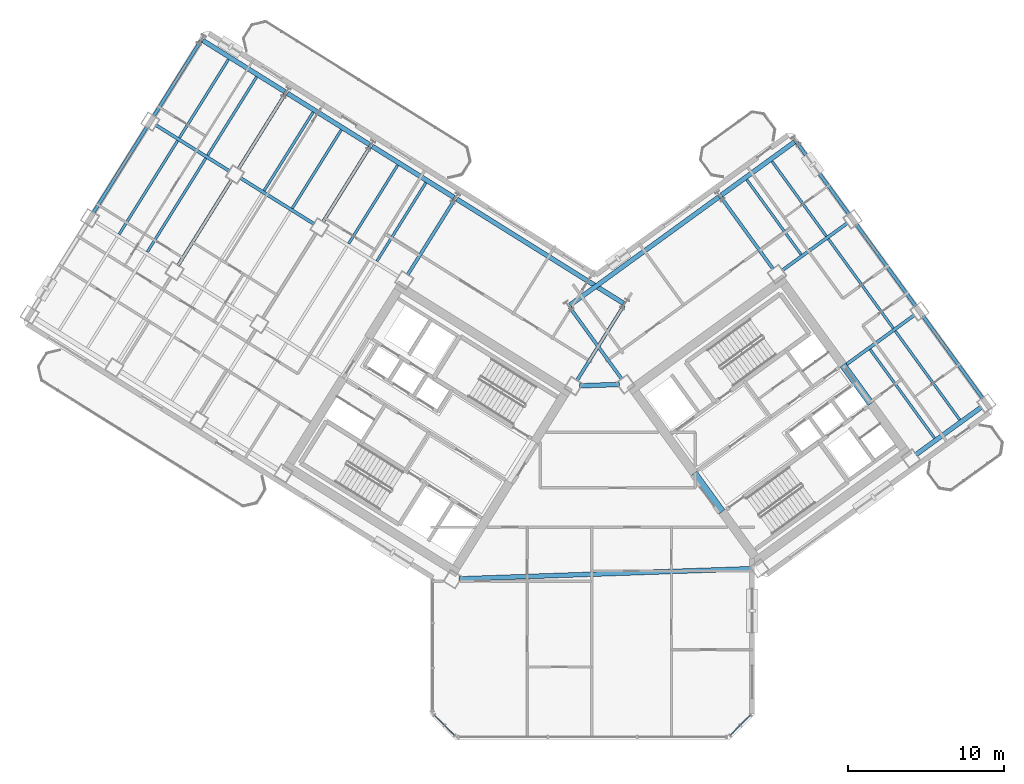
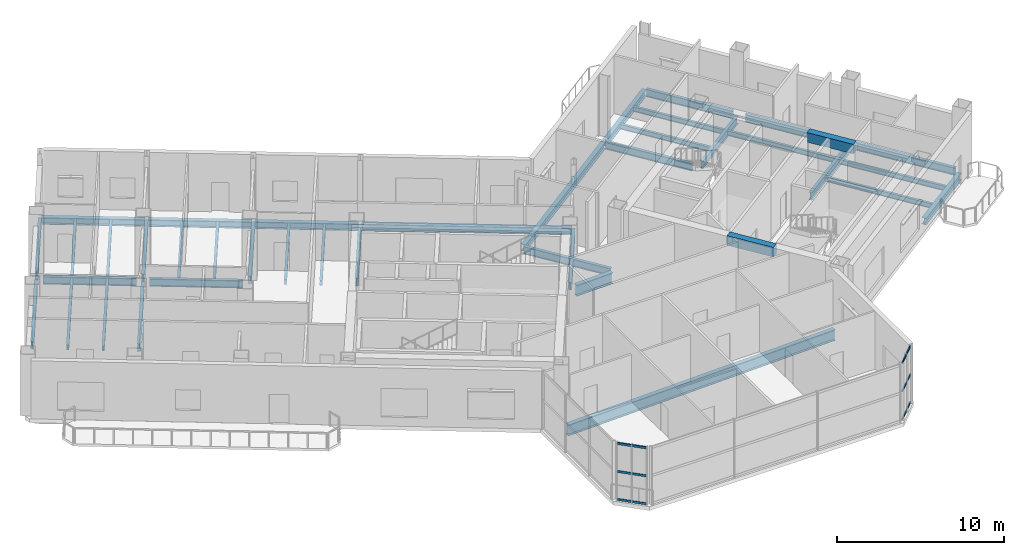
# One storey, part 7 of 21: 40 beams, 12 members, 2 elements without a shape of their own.
"""IFC4 building model written with IfcOpenShell, lengths in metres."""

from ifc_helpers import new_model, si_unit, direction, frame, origin, origin_2d, place, context, subcontext, project, spatial, rectangle, hollow_rectangle, i_section, extrude, source, transform, mapped, material, material_profile, profile_set, type_object, element, aggregate, save


model = new_model("IFC4")

# Units and contexts
model_context = context("Model", 3, precision=1e-05, world=origin(), true_north=direction((0.0, 1.0)))
body_context = subcontext(model_context, "Body", "Model", "MODEL_VIEW")
ifc_project = project(units=[si_unit("LENGTHUNIT", "METRE"), si_unit("AREAUNIT", "SQUARE_METRE"), si_unit("VOLUMEUNIT", "CUBIC_METRE"), si_unit("PLANEANGLEUNIT", "RADIAN"), si_unit("MASSUNIT", "GRAM", prefix="KILO")], contexts=[model_context])

# Site, building, storey
site_placement = place(None, origin())
site = spatial("IfcSite", under=ifc_project, at=site_placement, CompositionType="ELEMENT")
building_placement = place(site_placement, origin())
building = spatial("IfcBuilding", under=site, at=building_placement, Name="Tlacorven Tower", CompositionType="ELEMENT")
storey_placement = place(building_placement, frame((0.0, 0.0, 100.800048828125)))
storey = spatial("IfcBuildingStorey", under=building, at=storey_placement, Name="L25", CompositionType="ELEMENT", Elevation=100.800048828125)

# Beams
ifc_material_1 = material(Name="Concrete C60/75", Category="concrete")
ifc_material_profile_1 = material_profile(ifc_material_1, rectangle(XDim=0.449951171875, YDim=0.699951171875, at=origin_2d()), Name="RC 450X700")
ifc_profile_set_1 = profile_set([ifc_material_profile_1], Name="Concrete C60/75")
beam_type_1 = type_object("IfcBeamType", Name="BM-LNT-700", PredefinedType="LINTEL", material=ifc_profile_set_1)
shared_shape_1 = source(origin(), body_context, "Body", "SweptSolid", [
    extrude(rectangle(XDim=0.449951171875, YDim=0.699951171875, at=origin_2d()), origin(), (0.0, 0.0, 1.0), 3.050048828125),
])
for number, where, z_axis, x_axis, name in (
    (1, (50.318359375, 16.416015625, 3.89990234375), (-0.587776590479, 0.80902328748, 0.0), (-0.80902328748, -0.587776590479, 0.0), "L25 E core coupling lintel beam E1"),
    (2, (59.856689453125, 23.345947265625, 3.89990234375), (-0.587776590479, 0.80902328748, 0.0), (-0.80902328748, -0.587776590479, 0.0), "L25 E core coupling lintel beam E2"),
):
    element("IfcBeam", number, at=place(storey_placement, frame(where, z_axis=z_axis, x_axis=x_axis)), inside=storey, type_object=beam_type_1, Name=name, PredefinedType="LINTEL", context=body_context, shape_type="MappedRepresentation", body=[
        mapped(shared_shape_1, transform((0.0, 0.0, 0.0), scale=1.0)),
    ])
ifc_material_2 = material(Name="Steel S355J2", Category="steel")
ifc_material_profile_2 = material_profile(ifc_material_2, i_section(OverallWidth=0.300048828125, OverallDepth=0.489990234375, WebThickness=0.011962890625, FlangeThickness=0.02294921875, at=origin_2d()), Name="HEA 500")
ifc_profile_set_2 = profile_set([ifc_material_profile_2], Name="Steel S355J2")
beam_type_2 = type_object("IfcBeamType", Name="BM-SPN-500", PredefinedType="SPANDREL", material=ifc_profile_set_2)
shared_shape_2 = source(origin(), body_context, "Body", "SweptSolid", [
    extrude(i_section(OverallWidth=0.300048828125, OverallDepth=0.489990234375, WebThickness=0.011962890625, FlangeThickness=0.02294921875, at=origin_2d()), origin(), (0.0, 0.0, 1.0), 12.599853515625),
])
beam_1_placement = place(storey_placement, frame((43.983642578125, 29.779296875, -0.525146484375), z_axis=(-0.848045108756, 0.529924045043, 0.0), x_axis=(-0.529924045043, -0.848045108756, 0.0)))
element("IfcBeam", 3, at=beam_1_placement, inside=storey, type_object=beam_type_2, Name="L25 beam BM-L25-WL1-1", PredefinedType="SPANDREL", context=body_context, shape_type="MappedRepresentation", body=[
    mapped(shared_shape_2, transform((0.0, 0.0, 0.0), scale=1.0)),
])
shared_shape_3 = source(origin(), body_context, "Body", "SweptSolid", [
    extrude(i_section(OverallWidth=0.300048828125, OverallDepth=0.489990234375, WebThickness=0.011962890625, FlangeThickness=0.02294921875, at=origin_2d()), origin(), (0.0, 0.0, 1.0), 6.199951171875),
])
beam_2_placement = place(storey_placement, frame((33.128662109375, 36.562255859375, -0.525146484375), z_axis=(-0.848051394107, 0.529913986372, 0.0), x_axis=(-0.529913986372, -0.848051394107, 0.0)))
element("IfcBeam", 4, at=beam_2_placement, inside=storey, type_object=beam_type_2, Name="L25 beam BM-L25-WL1-3", PredefinedType="SPANDREL", context=body_context, shape_type="MappedRepresentation", body=[
    mapped(shared_shape_3, transform((0.0, 0.0, 0.0), scale=1.0)),
])
shared_shape_4 = source(origin(), body_context, "Body", "SweptSolid", [
    extrude(i_section(OverallWidth=0.300048828125, OverallDepth=0.489990234375, WebThickness=0.011962890625, FlangeThickness=0.02294921875, at=origin_2d()), origin(), (0.0, 0.0, 1.0), 11.800048828125),
])
beam_3_placement = place(storey_placement, frame((40.560302734375, 29.65966796875, -0.525146484375), z_axis=(0.80900977213, 0.587795192732, 0.0), x_axis=(-0.587795192732, 0.80900977213, 0.0)))
element("IfcBeam", 5, at=beam_3_placement, inside=storey, type_object=beam_type_2, Name="L25 beam BM-L25-EL4-1", PredefinedType="SPANDREL", context=body_context, shape_type="MappedRepresentation", body=[
    mapped(shared_shape_4, transform((0.0, 0.0, 0.0), scale=1.0)),
])
shared_shape_5 = source(origin(), body_context, "Body", "SweptSolid", [
    extrude(i_section(OverallWidth=0.300048828125, OverallDepth=0.489990234375, WebThickness=0.011962890625, FlangeThickness=0.02294921875, at=origin_2d()), origin(), (0.0, 0.0, 1.0), 5.800048828125),
])
beam_4_placement = place(storey_placement, frame((50.2685546875, 36.713134765625, -0.525146484375), z_axis=(0.809019944521, 0.587781191743, 0.0), x_axis=(-0.587781191743, 0.809019944521, 0.0)))
element("IfcBeam", 6, at=beam_4_placement, inside=storey, type_object=beam_type_2, Name="L25 beam BM-L25-EL4-3", PredefinedType="SPANDREL", context=body_context, shape_type="MappedRepresentation", body=[
    mapped(shared_shape_5, transform((0.0, 0.0, 0.0), scale=1.0)),
])
shared_shape_6 = source(origin(), body_context, "Body", "SweptSolid", [
    extrude(i_section(OverallWidth=0.300048828125, OverallDepth=0.489990234375, WebThickness=0.011962890625, FlangeThickness=0.02294921875, at=origin_2d()), origin(), (0.0, 0.0, 1.0), 6.2001953125),
])
for number, where, z_axis, x_axis, name in (
    (7, (27.701171875, 39.95361328125, -0.525146484375), (-0.84804475579, 0.5299246099, 0.0), (-0.5299246099, -0.84804475579, 0.0), "L25 beam BM-L25-WL1-4"),
    (8, (22.273681640625, 43.34521484375, -0.525146484375), (-0.848062451332, 0.529896290457, 0.0), (-0.529896290457, -0.848062451332, 0.0), "L25 beam BM-L25-WL1-5"),
):
    element("IfcBeam", number, at=place(storey_placement, frame(where, z_axis=z_axis, x_axis=x_axis)), inside=storey, type_object=beam_type_2, Name=name, PredefinedType="SPANDREL", context=body_context, shape_type="MappedRepresentation", body=[
        mapped(shared_shape_6, transform((0.0, 0.0, 0.0), scale=1.0)),
    ])
ifc_material_profile_3 = material_profile(ifc_material_2, i_section(OverallWidth=0.2099609375, OverallDepth=0.550048828125, WebThickness=0.010986328125, FlangeThickness=0.01708984375, at=origin_2d()), Name="IPE 550")
ifc_profile_set_3 = profile_set([ifc_material_profile_3], Name="Steel S355J2")
beam_type_3 = type_object("IfcBeamType", Name="BM-TWR-550", PredefinedType="BEAM", material=ifc_profile_set_3)
shared_shape_7 = source(origin(), body_context, "Body", "SweptSolid", [
    extrude(i_section(OverallWidth=0.2099609375, OverallDepth=0.550048828125, WebThickness=0.010986328125, FlangeThickness=0.01708984375, at=origin_2d()), origin(), (0.0, 0.0, 1.0), 5.599853515625),
])
for number, where, z_axis, x_axis, name in (
    (9, (24.1611328125, 34.854736328125, -0.554931640625), (-0.848047285686, 0.529920561254, 0.0), (-0.529920561254, -0.848047285686, 0.0), "L25 beam BM-L25-WL2-4"),
    (10, (18.733642578125, 38.246337890625, -0.554931640625), (-0.848047285686, 0.529920561254, 0.0), (-0.529920561254, -0.848047285686, 0.0), "L25 beam BM-L25-WL2-5"),
):
    element("IfcBeam", number, at=place(storey_placement, frame(where, z_axis=z_axis, x_axis=x_axis)), inside=storey, type_object=beam_type_3, Name=name, PredefinedType="BEAM", context=body_context, shape_type="MappedRepresentation", body=[
        mapped(shared_shape_7, transform((0.0, 0.0, 0.0), scale=1.0)),
    ])
shared_shape_8 = source(origin(), body_context, "Body", "SweptSolid", [
    extrude(i_section(OverallWidth=0.2099609375, OverallDepth=0.550048828125, WebThickness=0.010986328125, FlangeThickness=0.01708984375, at=origin_2d()), origin(), (0.0, 0.0, 1.0), 5.7001953125),
])
for number, where, z_axis, x_axis, name in (
    (11, (44.015380859375, 29.6416015625, -0.554931640625), (-0.529906537151, -0.848056048787, 0.0), (0.848056048787, -0.529906537151, 0.0), "L25 beam BM-L25-WT1-1"),
    (12, (33.160400390625, 36.424560546875, -0.554931640625), (-0.529906537151, -0.848056048787, 0.0), (0.848056048787, -0.529906537151, 0.0), "L25 beam BM-L25-WT3-1"),
    (13, (22.305419921875, 43.20751953125, -0.554931640625), (-0.529906537151, -0.848056048787, 0.0), (0.848056048787, -0.529906537151, 0.0), "L25 beam BM-L25-WT5-1"),
):
    element("IfcBeam", number, at=place(storey_placement, frame(where, z_axis=z_axis, x_axis=x_axis)), inside=storey, type_object=beam_type_3, Name=name, PredefinedType="BEAM", context=body_context, shape_type="MappedRepresentation", body=[
        mapped(shared_shape_8, transform((0.0, 0.0, 0.0), scale=1.0)),
    ])
shared_shape_9 = source(origin(), body_context, "Body", "SweptSolid", [
    extrude(i_section(OverallWidth=0.2099609375, OverallDepth=0.550048828125, WebThickness=0.010986328125, FlangeThickness=0.01708984375, at=origin_2d()), origin(), (0.0, 0.0, 1.0), 5.699951171875),
])
for number, where, z_axis, x_axis, name in (
    (14, (27.73291015625, 39.81591796875, -0.554931640625), (-0.529925785607, -0.848044021115, 0.0), (0.848044021115, -0.529925785607, 0.0), "L25 beam BM-L25-WT4-1"),
    (15, (16.8779296875, 46.598876953125, -0.554931640625), (-0.529925785607, -0.848044021115, 0.0), (0.848044021115, -0.529925785607, 0.0), "L25 beam BM-L25-WT6-1"),
    (16, (43.888671875, 24.90869140625, -0.554931640625), (-0.587787066966, 0.809015675935, 0.0), (-0.809015675935, -0.587787066966, 0.0), "L25 beam BM-L25-ET1-2"),
    (17, (53.596923828125, 31.962158203125, -0.554931640625), (-0.587787066966, 0.809015675935, 0.0), (-0.809015675935, -0.587787066966, 0.0), "L25 beam BM-L25-ET3-2"),
    (18, (58.450927734375, 35.48876953125, -0.554931640625), (-0.587787066966, 0.809015675935, 0.0), (-0.809015675935, -0.587787066966, 0.0), "L25 beam BM-L25-ET4-3"),
):
    element("IfcBeam", number, at=place(storey_placement, frame(where, z_axis=z_axis, x_axis=x_axis)), inside=storey, type_object=beam_type_3, Name=name, PredefinedType="BEAM", context=body_context, shape_type="MappedRepresentation", body=[
        mapped(shared_shape_9, transform((0.0, 0.0, 0.0), scale=1.0)),
    ])
shared_shape_10 = source(origin(), body_context, "Body", "SweptSolid", [
    extrude(i_section(OverallWidth=0.2099609375, OverallDepth=0.550048828125, WebThickness=0.010986328125, FlangeThickness=0.01708984375, at=origin_2d()), origin(), (0.0, 0.0, 1.0), 6.5),
])
for number, where, z_axis, x_axis, name in (
    (19, (13.433349609375, 41.086669921875, -0.554931640625), (-0.529894274829, -0.848063710757, 0.0), (0.848063710757, -0.529894274829, 0.0), "L25 beam BM-L25-WT6-2"),
    (20, (67.03271484375, 23.67724609375, -0.554931640625), (-0.587809847215, 0.808999124547, 0.0), (-0.808999124547, -0.587809847215, 0.0), "L25 beam BM-L25-ET4-1"),
    (21, (62.74169921875, 29.5830078125, -0.554931640625), (-0.587785264321, 0.809016985636, 0.0), (-0.809016985636, -0.587785264321, 0.0), "L25 beam BM-L25-ET4-2"),
):
    element("IfcBeam", number, at=place(storey_placement, frame(where, z_axis=z_axis, x_axis=x_axis)), inside=storey, type_object=beam_type_3, Name=name, PredefinedType="BEAM", context=body_context, shape_type="MappedRepresentation", body=[
        mapped(shared_shape_10, transform((0.0, 0.0, 0.0), scale=1.0)),
    ])
shared_shape_11 = source(origin(), body_context, "Body", "SweptSolid", [
    extrude(i_section(OverallWidth=0.2099609375, OverallDepth=0.550048828125, WebThickness=0.010986328125, FlangeThickness=0.01708984375, at=origin_2d()), origin(), (0.0, 0.0, 1.0), 6.499755859375),
])
beam_5_placement = place(storey_placement, frame((18.86083984375, 37.695068359375, -0.554931640625), z_axis=(-0.529911154058, -0.848053163902, 0.0), x_axis=(0.848053163902, -0.529911154058, 0.0)))
element("IfcBeam", 22, at=beam_5_placement, inside=storey, type_object=beam_type_3, Name="L25 beam BM-L25-WT5-2", PredefinedType="BEAM", context=body_context, shape_type="MappedRepresentation", body=[
    mapped(shared_shape_11, transform((0.0, 0.0, 0.0), scale=1.0)),
])
ifc_material_profile_4 = material_profile(ifc_material_2, i_section(OverallWidth=0.169921875, OverallDepth=0.360107421875, WebThickness=0.008056640625, FlangeThickness=0.0126953125, at=origin_2d()), Name="IPE 360")
ifc_profile_set_4 = profile_set([ifc_material_profile_4], Name="Steel S355J2")
beam_type_4 = type_object("IfcBeamType", Name="BM-JST-360", PredefinedType="JOIST", material=ifc_profile_set_4)
shared_shape_12 = source(origin(), body_context, "Body", "SweptSolid", [
    extrude(i_section(OverallWidth=0.169921875, OverallDepth=0.360107421875, WebThickness=0.008056640625, FlangeThickness=0.0126953125, at=origin_2d()), origin(), (0.0, 0.0, 1.0), 5.93505859375),
])
for number, where, z_axis, x_axis, name in (
    (23, (31.322265625, 37.50830078125, -0.4599609375), (-0.529939778535, -0.848035277053, 0.0), (0.848035277053, -0.529939778535, 0.0), "L25 beam BM-L25-WJ3-1-1"),
    (24, (29.512939453125, 38.638916015625, -0.4599609375), (-0.529910194899, -0.848053763238, 0.0), (0.848053763238, -0.529910194899, 0.0), "L25 beam BM-L25-WJ3-1-2"),
    (25, (24.08544921875, 42.0302734375, -0.4599609375), (-0.529910194899, -0.848053763238, 0.0), (0.848053763238, -0.529910194899, 0.0), "L25 beam BM-L25-WJ4-1-2"),
    (26, (20.467041015625, 44.291259765625, -0.4599609375), (-0.529910194899, -0.848053763238, 0.0), (0.848053763238, -0.529910194899, 0.0), "L25 beam BM-L25-WJ5-1-1"),
    (27, (18.657958984375, 45.421875, -0.4599609375), (-0.529910194899, -0.848053763238, 0.0), (0.848053763238, -0.529910194899, 0.0), "L25 beam BM-L25-WJ5-1-2"),
    (28, (55.38525390625, 32.903076171875, -0.4599609375), (-0.58778762431, 0.809015270998, 0.0), (-0.809015270998, -0.58778762431, 0.0), "L25 beam BM-L25-EJ3-3-1"),
    (29, (57.00341796875, 34.07861328125, -0.4599609375), (-0.58778762431, 0.809015270998, 0.0), (-0.809015270998, -0.58778762431, 0.0), "L25 beam BM-L25-EJ3-3-2"),
):
    element("IfcBeam", number, at=place(storey_placement, frame(where, z_axis=z_axis, x_axis=x_axis)), inside=storey, type_object=beam_type_4, Name=name, PredefinedType="JOIST", context=body_context, shape_type="MappedRepresentation", body=[
        mapped(shared_shape_12, transform((0.0, 0.0, 0.0), scale=1.0)),
    ])
shared_shape_13 = source(origin(), body_context, "Body", "SweptSolid", [
    extrude(i_section(OverallWidth=0.169921875, OverallDepth=0.360107421875, WebThickness=0.008056640625, FlangeThickness=0.0126953125, at=origin_2d()), origin(), (0.0, 0.0, 1.0), 7.080078125),
])
for number, where, z_axis, x_axis, name in (
    (30, (17.20556640625, 39.071533203125, -0.4599609375), (-0.529933847046, -0.848038983629, 0.0), (0.848038983629, -0.529933847046, 0.0), "L25 beam BM-L25-WJ5-2-1"),
    (31, (15.396240234375, 40.2021484375, -0.4599609375), (-0.529893550998, -0.848064163027, 0.0), (0.848064163027, -0.529893550998, 0.0), "L25 beam BM-L25-WJ5-2-2"),
    (32, (61.294189453125, 28.1728515625, -0.4599609375), (-0.587798472288, 0.809007389321, 0.0), (-0.809007389321, -0.587798472288, 0.0), "L25 beam BM-L25-EJ3-2-2"),
):
    element("IfcBeam", number, at=place(storey_placement, frame(where, z_axis=z_axis, x_axis=x_axis)), inside=storey, type_object=beam_type_4, Name=name, PredefinedType="JOIST", context=body_context, shape_type="MappedRepresentation", body=[
        mapped(shared_shape_13, transform((0.0, 0.0, 0.0), scale=1.0)),
    ])
shared_shape_14 = source(origin(), body_context, "Body", "SweptSolid", [
    extrude(i_section(OverallWidth=0.169921875, OverallDepth=0.360107421875, WebThickness=0.008056640625, FlangeThickness=0.0126953125, at=origin_2d()), origin(), (0.0, 0.0, 1.0), 7.03515625),
])
beam_6_placement = place(storey_placement, frame((63.9404296875, 21.127685546875, -0.4599609375), z_axis=(-0.58776512903, 0.809031614399, 0.0), x_axis=(-0.809031614399, -0.58776512903, 0.0)))
element("IfcBeam", 33, at=beam_6_placement, inside=storey, type_object=beam_type_4, Name="L25 beam BM-L25-EJ3-1-1", PredefinedType="JOIST", context=body_context, shape_type="MappedRepresentation", body=[
    mapped(shared_shape_14, transform((0.0, 0.0, 0.0), scale=1.0)),
])
shared_shape_15 = source(origin(), body_context, "Body", "SweptSolid", [
    extrude(i_section(OverallWidth=0.169921875, OverallDepth=0.360107421875, WebThickness=0.008056640625, FlangeThickness=0.0126953125, at=origin_2d()), origin(), (0.0, 0.0, 1.0), 5.934814453125),
])
beam_7_placement = place(storey_placement, frame((25.894775390625, 40.899658203125, -0.4599609375), z_axis=(-0.529958265352, -0.848023724306, 0.0), x_axis=(0.848023724306, -0.529958265352, 0.0)))
element("IfcBeam", 34, at=beam_7_placement, inside=storey, type_object=beam_type_4, Name="L25 beam BM-L25-WJ4-1-1", PredefinedType="JOIST", context=body_context, shape_type="MappedRepresentation", body=[
    mapped(shared_shape_15, transform((0.0, 0.0, 0.0), scale=1.0)),
])
shared_shape_16 = source(origin(), body_context, "Body", "SweptSolid", [
    extrude(i_section(OverallWidth=0.300048828125, OverallDepth=0.489990234375, WebThickness=0.011962890625, FlangeThickness=0.02294921875, at=origin_2d()), origin(), (0.0, 0.0, 1.0), 5.199951171875),
])
beam_8_placement = place(storey_placement, frame((62.7373046875, 20.06201171875, -0.525146484375), z_axis=(0.809018206713, 0.587783583648, 0.0), x_axis=(-0.587783583648, 0.809018206713, 0.0)))
element("IfcBeam", 35, at=beam_8_placement, inside=storey, type_object=beam_type_2, Name="L25 beam BM-L25-EL1-3", PredefinedType="SPANDREL", context=body_context, shape_type="MappedRepresentation", body=[
    mapped(shared_shape_16, transform((0.0, 0.0, 0.0), scale=1.0)),
])
shared_shape_17 = source(origin(), body_context, "Body", "SweptSolid", [
    extrude(i_section(OverallWidth=0.2099609375, OverallDepth=0.550048828125, WebThickness=0.010986328125, FlangeThickness=0.01708984375, at=origin_2d()), origin(), (0.0, 0.0, 1.0), 5.56005859375),
])
beam_9_placement = place(storey_placement, frame((58.155029296875, 25.756103515625, -0.554931640625), z_axis=(0.809028396397, 0.587769558435, 0.0), x_axis=(-0.587769558435, 0.809028396397, 0.0)))
element("IfcBeam", 36, at=beam_9_placement, inside=storey, type_object=beam_type_3, Name="L25 beam BM-L25-EL2-3", PredefinedType="BEAM", context=body_context, shape_type="MappedRepresentation", body=[
    mapped(shared_shape_17, transform((0.0, 0.0, 0.0), scale=1.0)),
])
shared_shape_18 = source(origin(), body_context, "Body", "SweptSolid", [
    extrude(i_section(OverallWidth=0.2099609375, OverallDepth=0.550048828125, WebThickness=0.010986328125, FlangeThickness=0.01708984375, at=origin_2d()), origin(), (0.0, 0.0, 1.0), 5.2001953125),
])
beam_10_placement = place(storey_placement, frame((54.155517578125, 31.87353515625, -0.554931640625), z_axis=(0.80901210161, 0.587791986546, 0.0), x_axis=(-0.587791986546, 0.80901210161, 0.0)))
element("IfcBeam", 37, at=beam_10_placement, inside=storey, type_object=beam_type_3, Name="L25 beam BM-L25-EL3-3", PredefinedType="BEAM", context=body_context, shape_type="MappedRepresentation", body=[
    mapped(shared_shape_18, transform((0.0, 0.0, 0.0), scale=1.0)),
])
shared_shape_19 = source(origin(), body_context, "Body", "SweptSolid", [
    extrude(i_section(OverallWidth=0.169921875, OverallDepth=0.360107421875, WebThickness=0.008056640625, FlangeThickness=0.0126953125, at=origin_2d()), origin(), (0.0, 0.0, 1.0), 7.034912109375),
])
beam_11_placement = place(storey_placement, frame((65.55859375, 22.303466796875, -0.4599609375), z_axis=(-0.587781631373, 0.809019625115, 0.0), x_axis=(-0.809019625115, -0.587781631373, 0.0)))
element("IfcBeam", 38, at=beam_11_placement, inside=storey, type_object=beam_type_4, Name="L25 beam BM-L25-EJ3-1-2", PredefinedType="JOIST", context=body_context, shape_type="MappedRepresentation", body=[
    mapped(shared_shape_19, transform((0.0, 0.0, 0.0), scale=1.0)),
])
ifc_material_profile_5 = material_profile(ifc_material_2, i_section(OverallWidth=0.300048828125, OverallDepth=0.800048828125, WebThickness=0.017578125, FlangeThickness=0.032958984375, at=origin_2d()), Name="HEB 800")
ifc_profile_set_5 = profile_set([ifc_material_profile_5], Name="Steel S355J2")
beam_type_5 = type_object("IfcBeamType", Name="BM-POD-800", PredefinedType="BEAM", material=ifc_profile_set_5)
shared_shape_20 = source(origin(), body_context, "Body", "SweptSolid", [
    extrude(i_section(OverallWidth=0.300048828125, OverallDepth=0.800048828125, WebThickness=0.017578125, FlangeThickness=0.032958984375, at=origin_2d()), origin(), (0.0, 0.0, 1.0), 2.542724609375),
])
beam_12_placement = place(storey_placement, frame((41.1826171875, 24.482421875, -0.679931640625), z_axis=(0.999392467766, 0.034852480142, 0.0), x_axis=(-0.034852480142, 0.999392467766, 0.0)))
element("IfcBeam", 39, at=beam_12_placement, inside=storey, type_object=beam_type_5, Name="L25 Knuckle Link Girder 1", PredefinedType="BEAM", context=body_context, shape_type="MappedRepresentation", body=[
    mapped(shared_shape_20, transform((0.0, 0.0, 0.0), scale=1.0)),
])
shared_shape_21 = source(origin(), body_context, "Body", "SweptSolid", [
    extrude(i_section(OverallWidth=0.300048828125, OverallDepth=0.800048828125, WebThickness=0.017578125, FlangeThickness=0.032958984375, at=origin_2d()), origin(), (0.0, 0.0, 1.0), 18.871337890625),
])
beam_13_placement = place(storey_placement, frame((33.44580078125, 12.100830078125, -0.679931640625), z_axis=(0.999390659804, 0.034904284792, 0.0), x_axis=(-0.034904284792, 0.999390659804, 0.0)))
element("IfcBeam", 40, at=beam_13_placement, inside=storey, type_object=beam_type_5, Name="L25 Knuckle Link Girder 2", PredefinedType="BEAM", context=body_context, shape_type="MappedRepresentation", body=[
    mapped(shared_shape_21, transform((0.0, 0.0, 0.0), scale=1.0)),
])

# Curtain wall, members
ifc_material_3 = material(Name="Dark solar low-E double glazing in aluminium frame", Category="aluminium")
curtain_wall_type = type_object("IfcCurtainWallType", Name="CW-COM-AMENITY", PredefinedType="USERDEFINED", material=ifc_material_3)
curtain_wall_1_placement = place(storey_placement, origin())
curtain_wall_1 = element("IfcCurtainWall", 41, at=curtain_wall_1_placement, inside=storey, type_object=curtain_wall_type, Name="L25 CW-COM-AMENITY Curtain Wall 127", ObjectType="UNITISED CURTAIN WALL", PredefinedType="USERDEFINED")
ifc_material_4 = material(Name="Aluminium 6063-T6 anodised", Category="aluminium")
ifc_material_profile_6 = material_profile(ifc_material_4, hollow_rectangle(XDim=0.06494140625, YDim=0.159912109375, WallThickness=0.00390625, at=origin_2d()), Name="ALU TRANSOM 65X160")
ifc_profile_set_6 = profile_set([ifc_material_profile_6], Name="Aluminium 6063-T6 anodised")
member_type = type_object("IfcMemberType", Name="CWT-01", PredefinedType="USERDEFINED", material=ifc_profile_set_6)
shared_shape_22 = source(origin(), body_context, "Body", "SweptSolid", [
    extrude(hollow_rectangle(XDim=0.06494140625, YDim=0.159912109375, WallThickness=0.00390625, at=origin_2d()), origin(), (0.0, 0.0, 1.0), 0.8837890625),
])
member_1_placement = place(storey_placement, frame((52.128173828125, 3.3544921875, 0.079833984375), z_axis=(-0.707106781187, -0.707106781187, 0.0), x_axis=(0.707106781187, -0.707106781187, 0.0)))
member_1 = element("IfcMember", 42, at=member_1_placement, type_object=member_type, Name="CW-L25-127 Transom 1", ObjectType="TRANSOM", PredefinedType="USERDEFINED", context=body_context, shape_type="MappedRepresentation", body=[
    mapped(shared_shape_22, transform((0.0, 0.0, 0.0), scale=1.0)),
])
member_2_placement = place(storey_placement, frame((52.128173828125, 3.3544921875, 2.125), z_axis=(-0.707106781187, -0.707106781187, 0.0), x_axis=(0.707106781187, -0.707106781187, 0.0)))
member_2 = element("IfcMember", 43, at=member_2_placement, type_object=member_type, Name="CW-L25-127 Transom 2", ObjectType="TRANSOM", PredefinedType="USERDEFINED", context=body_context, shape_type="MappedRepresentation", body=[
    mapped(shared_shape_22, transform((0.0, 0.0, 0.0), scale=1.0)),
])
member_3_placement = place(storey_placement, frame((52.128173828125, 3.3544921875, 4.169921875), z_axis=(-0.707106781187, -0.707106781187, 0.0), x_axis=(0.707106781187, -0.707106781187, 0.0)))
member_3 = element("IfcMember", 44, at=member_3_placement, type_object=member_type, Name="CW-L25-127 Transom 3", ObjectType="TRANSOM", PredefinedType="USERDEFINED", context=body_context, shape_type="MappedRepresentation", body=[
    mapped(shared_shape_22, transform((0.0, 0.0, 0.0), scale=1.0)),
])

curtain_wall_2_placement = place(storey_placement, origin())
curtain_wall_2 = element("IfcCurtainWall", 45, at=curtain_wall_2_placement, inside=storey, type_object=curtain_wall_type, Name="L25 CW-COM-AMENITY Curtain Wall 129", ObjectType="UNITISED CURTAIN WALL", PredefinedType="USERDEFINED")
member_4_placement = place(storey_placement, frame((32.496826171875, 2.7294921875, 0.079833984375), z_axis=(-0.707106781187, 0.707106781187, 0.0), x_axis=(-0.707106781187, -0.707106781187, 0.0)))
member_4 = element("IfcMember", 46, at=member_4_placement, type_object=member_type, Name="CW-L25-129 Transom 4", ObjectType="TRANSOM", PredefinedType="USERDEFINED", context=body_context, shape_type="MappedRepresentation", body=[
    mapped(shared_shape_22, transform((0.0, 0.0, 0.0), scale=1.0)),
])
member_5_placement = place(storey_placement, frame((32.496826171875, 2.7294921875, 2.125), z_axis=(-0.707106781187, 0.707106781187, 0.0), x_axis=(-0.707106781187, -0.707106781187, 0.0)))
member_5 = element("IfcMember", 47, at=member_5_placement, type_object=member_type, Name="CW-L25-129 Transom 5", ObjectType="TRANSOM", PredefinedType="USERDEFINED", context=body_context, shape_type="MappedRepresentation", body=[
    mapped(shared_shape_22, transform((0.0, 0.0, 0.0), scale=1.0)),
])
member_6_placement = place(storey_placement, frame((32.496826171875, 2.7294921875, 4.169921875), z_axis=(-0.707106781187, 0.707106781187, 0.0), x_axis=(-0.707106781187, -0.707106781187, 0.0)))
member_6 = element("IfcMember", 48, at=member_6_placement, type_object=member_type, Name="CW-L25-129 Transom 6", ObjectType="TRANSOM", PredefinedType="USERDEFINED", context=body_context, shape_type="MappedRepresentation", body=[
    mapped(shared_shape_22, transform((0.0, 0.0, 0.0), scale=1.0)),
])

# Member
shared_shape_23 = source(origin(), body_context, "Body", "SweptSolid", [
    extrude(hollow_rectangle(XDim=0.06494140625, YDim=0.159912109375, WallThickness=0.00390625, at=origin_2d()), origin(), (0.0, 0.0, 1.0), 0.884033203125),
])
member_7_placement = place(storey_placement, frame((51.470703125, 2.69677734375, 0.079833984375), z_axis=(-0.707244847527, -0.706968687883, 0.0), x_axis=(0.706968687883, -0.707244847527, 0.0)))
member_7 = element("IfcMember", 49, at=member_7_placement, type_object=member_type, Name="CW-L25-127 Transom 4", ObjectType="TRANSOM", PredefinedType="USERDEFINED", context=body_context, shape_type="MappedRepresentation", body=[
    mapped(shared_shape_23, transform((0.0, 0.0, 0.0), scale=1.0)),
])

member_8_placement = place(storey_placement, frame((51.470703125, 2.69677734375, 2.125), z_axis=(-0.707244847527, -0.706968687883, 0.0), x_axis=(0.706968687883, -0.707244847527, 0.0)))
member_8 = element("IfcMember", 50, at=member_8_placement, type_object=member_type, Name="CW-L25-127 Transom 5", ObjectType="TRANSOM", PredefinedType="USERDEFINED", context=body_context, shape_type="MappedRepresentation", body=[
    mapped(shared_shape_23, transform((0.0, 0.0, 0.0), scale=1.0)),
])

member_9_placement = place(storey_placement, frame((51.470703125, 2.69677734375, 4.169921875), z_axis=(-0.707244847527, -0.706968687883, 0.0), x_axis=(0.706968687883, -0.707244847527, 0.0)))
member_9 = element("IfcMember", 51, at=member_9_placement, type_object=member_type, Name="CW-L25-127 Transom 6", ObjectType="TRANSOM", PredefinedType="USERDEFINED", context=body_context, shape_type="MappedRepresentation", body=[
    mapped(shared_shape_23, transform((0.0, 0.0, 0.0), scale=1.0)),
])

aggregate(curtain_wall_1, [member_1, member_2, member_3, member_7, member_8, member_9])

member_10_placement = place(storey_placement, frame((33.154541015625, 2.07177734375, 0.079833984375), z_axis=(-0.707244847527, 0.706968687883, 0.0), x_axis=(-0.706968687883, -0.707244847527, 0.0)))
member_10 = element("IfcMember", 52, at=member_10_placement, type_object=member_type, Name="CW-L25-129 Transom 1", ObjectType="TRANSOM", PredefinedType="USERDEFINED", context=body_context, shape_type="MappedRepresentation", body=[
    mapped(shared_shape_23, transform((0.0, 0.0, 0.0), scale=1.0)),
])

member_11_placement = place(storey_placement, frame((33.154541015625, 2.07177734375, 2.125), z_axis=(-0.707244847527, 0.706968687883, 0.0), x_axis=(-0.706968687883, -0.707244847527, 0.0)))
member_11 = element("IfcMember", 53, at=member_11_placement, type_object=member_type, Name="CW-L25-129 Transom 2", ObjectType="TRANSOM", PredefinedType="USERDEFINED", context=body_context, shape_type="MappedRepresentation", body=[
    mapped(shared_shape_23, transform((0.0, 0.0, 0.0), scale=1.0)),
])

member_12_placement = place(storey_placement, frame((33.154541015625, 2.07177734375, 4.169921875), z_axis=(-0.707244847527, 0.706968687883, 0.0), x_axis=(-0.706968687883, -0.707244847527, 0.0)))
member_12 = element("IfcMember", 54, at=member_12_placement, type_object=member_type, Name="CW-L25-129 Transom 3", ObjectType="TRANSOM", PredefinedType="USERDEFINED", context=body_context, shape_type="MappedRepresentation", body=[
    mapped(shared_shape_23, transform((0.0, 0.0, 0.0), scale=1.0)),
])

aggregate(curtain_wall_2, [member_10, member_11, member_12, member_4, member_5, member_6])

save(model, "model.ifc")
